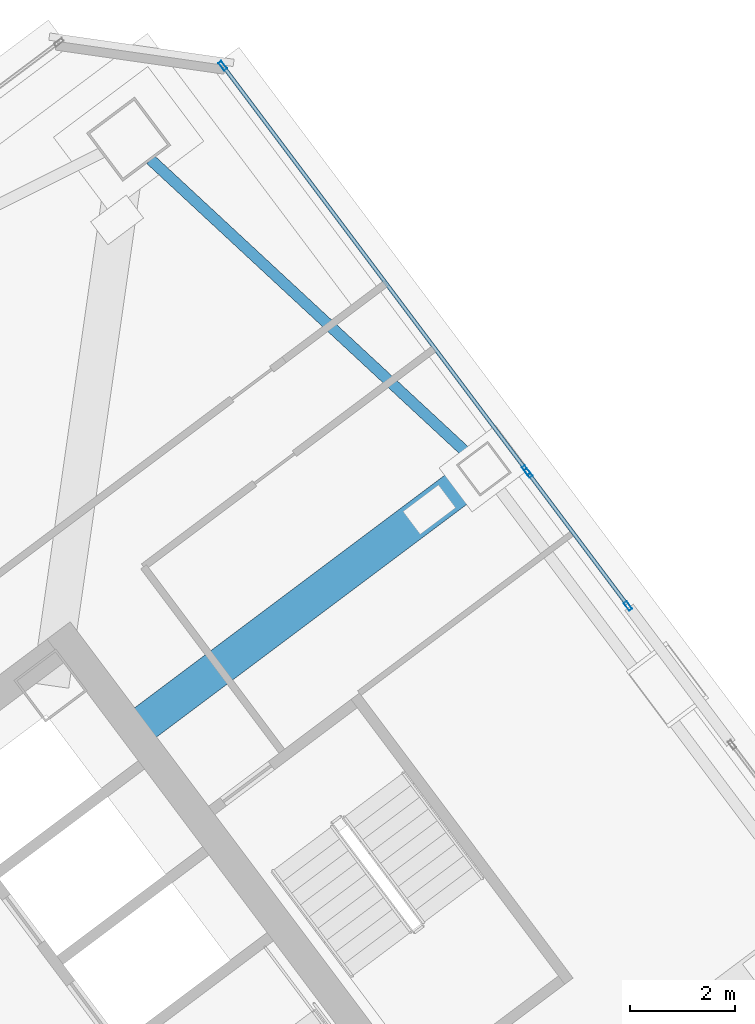
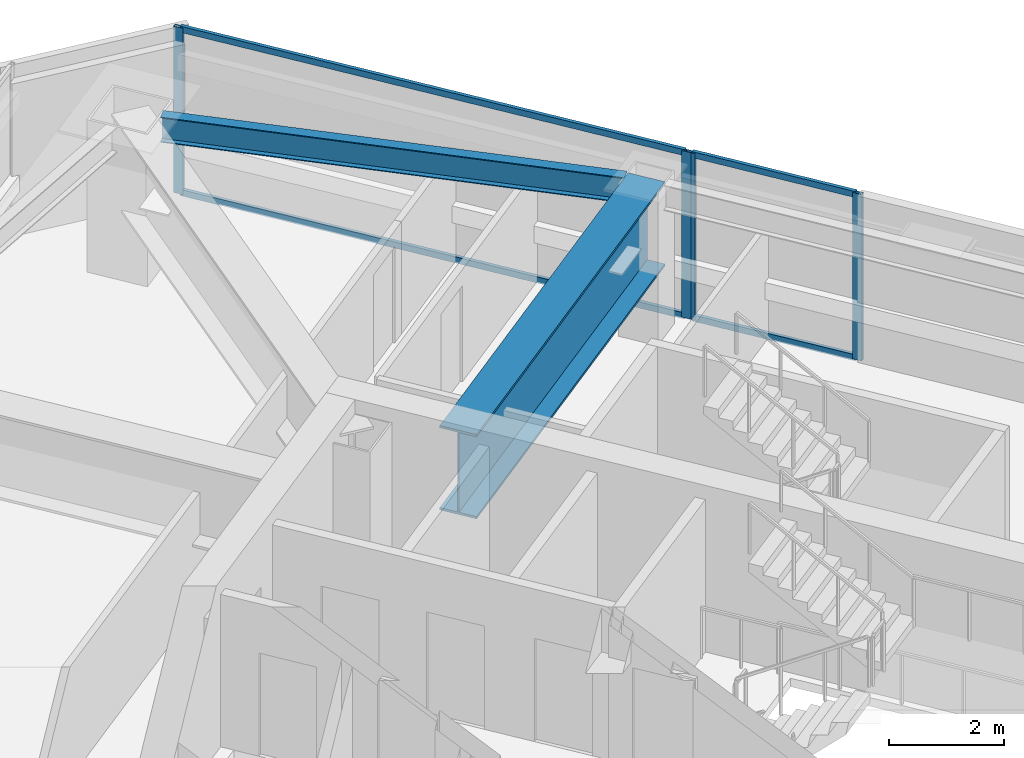
# One storey, part 29 of 42: 8 members, 2 beams, 2 elements without a shape of their own.
"""IFC4 building model written with IfcOpenShell, lengths in metres."""

from ifc_helpers import new_model, si_unit, direction, frame, origin, origin_2d, place, context, subcontext, project, spatial, hollow_rectangle, i_section, extrude, material, material_profile, profile_set, type_object, element, aggregate, save


model = new_model("IFC4")

# Units and contexts
model_context = context("Model", 3, precision=1e-05, world=origin(), true_north=direction((0.0, 1.0)))
body_context = subcontext(model_context, "Body", "Model", "MODEL_VIEW")
ifc_project = project(units=[si_unit("LENGTHUNIT", "METRE"), si_unit("AREAUNIT", "SQUARE_METRE"), si_unit("VOLUMEUNIT", "CUBIC_METRE"), si_unit("PLANEANGLEUNIT", "RADIAN"), si_unit("MASSUNIT", "GRAM", prefix="KILO")], contexts=[model_context])

# Site, building, storey
site_placement = place(None, origin())
site = spatial("IfcSite", under=ifc_project, at=site_placement, CompositionType="ELEMENT")
building_placement = place(site_placement, origin())
building = spatial("IfcBuilding", under=site, at=building_placement, Name="Tashvorn Skyway Center", CompositionType="ELEMENT")
storey_placement = place(building_placement, frame((0.0, 0.0, 196.050048828125)))
storey = spatial("IfcBuildingStorey", under=building, at=storey_placement, Name="L53", CompositionType="ELEMENT", Elevation=196.050048828125)

# Beams
ifc_material_1 = material(Name="Steel ASTM A572 Grade 50", Category="steel")
ifc_material_profile_1 = material_profile(ifc_material_1, i_section(OverallWidth=0.699951171875, OverallDepth=1.800048828125, WebThickness=0.031982421875, FlangeThickness=0.050048828125, at=origin_2d()), Name="PG1800x700")
ifc_profile_set_1 = profile_set([ifc_material_profile_1], Name="Steel ASTM A572 Grade 50")
beam_type_1 = type_object("IfcBeamType", Name="BM-BEAM-PG1800x700", PredefinedType="BEAM", material=ifc_profile_set_1)
beam_1_placement = place(storey_placement, frame((123.679931640625, 46.010009765625, 2.349853515625), z_axis=(-0.800003500202, -0.599995333035, 0.0), x_axis=(0.599995333035, -0.800003500202, 0.0)))
element("IfcBeam", 1, at=beam_1_placement, inside=storey, type_object=beam_type_1, Name="Tower 2 L53 Setback Transfer Girder FC-E2", PredefinedType="BEAM", context=body_context, shape_type="SweptSolid", body=[
    extrude(i_section(OverallWidth=0.699951171875, OverallDepth=1.800048828125, WebThickness=0.031982421875, FlangeThickness=0.050048828125, at=origin_2d()), origin(), (0.0, 0.0, 1.0), 8.3701171875),
])
ifc_material_2 = material(Name="Steel ASTM A992 Grade 50", Category="steel")
ifc_material_profile_2 = material_profile(ifc_material_2, i_section(OverallWidth=0.2109375, OverallDepth=0.5390625, WebThickness=0.01171875, FlangeThickness=0.018798828125, at=origin_2d()), Name="W21X73")
ifc_profile_set_2 = profile_set([ifc_material_profile_2], Name="Steel ASTM A992 Grade 50")
beam_type_2 = type_object("IfcBeamType", Name="BM-SPANDREL-W21X73", PredefinedType="SPANDREL", material=ifc_profile_set_2)
beam_2_placement = place(storey_placement, frame((123.40869140625, 46.26171875, 2.98046875), z_axis=(-0.733101115618, 0.680119661736, 0.0), x_axis=(-0.680119661736, -0.733101115618, 0.0)))
element("IfcBeam", 2, at=beam_2_placement, inside=storey, type_object=beam_type_2, Name="Tower 2 L53 Spandrel Beam 06", PredefinedType="SPANDREL", context=body_context, shape_type="SweptSolid", body=[
    extrude(i_section(OverallWidth=0.2109375, OverallDepth=0.5390625, WebThickness=0.01171875, FlangeThickness=0.018798828125, at=origin_2d()), origin(), (0.0, 0.0, 1.0), 8.308349609375),
])

# Curtain wall, members
ifc_material_3 = material(Name="Thermally broken bronze-anodized aluminium 6063-T6", Category="aluminium")
curtain_wall_type = type_object("IfcCurtainWallType", Name="CW-CW-Z4", PredefinedType="NOTDEFINED", material=ifc_material_3)
curtain_wall_1_placement = place(storey_placement, origin())
curtain_wall_1 = element("IfcCurtainWall", 3, at=curtain_wall_1_placement, inside=storey, type_object=curtain_wall_type, Name="Tower 2 L53 East Unitised Curtain Wall Glazing Group 1", PredefinedType="NOTDEFINED")
ifc_material_profile_3 = material_profile(ifc_material_3, hollow_rectangle(XDim=0.070068359375, YDim=0.179931640625, WallThickness=0.00390625, at=origin_2d()), Name="ALU-MULL-70x180")
ifc_profile_set_3 = profile_set([ifc_material_profile_3], Name="Thermally broken bronze-anodized aluminium 6063-T6")
member_type_1 = type_object("IfcMemberType", Name="CWM-CW-Z4", PredefinedType="MULLION", material=ifc_profile_set_3)
member_1_placement = place(storey_placement, frame((118.697021484375, 53.7041015625, 0.0), z_axis=(0.0, 0.0, 1.0), x_axis=(0.799999999998, 0.600000000002, 0.0)))
member_1 = element("IfcMember", 4, at=member_1_placement, type_object=member_type_1, Name="CW-Z4 mullion 1", PredefinedType="MULLION", context=body_context, shape_type="SweptSolid", body=[
    extrude(hollow_rectangle(XDim=0.070068359375, YDim=0.179931640625, WallThickness=0.00390625, at=origin_2d()), origin(), (0.0, 0.0, 1.0), 3.550048828125),
])
member_2_placement = place(storey_placement, frame((124.487060546875, 45.98388671875, 0.0), z_axis=(0.0, 0.0, 1.0), x_axis=(0.799999999998, 0.600000000002, 0.0)))
member_2 = element("IfcMember", 5, at=member_2_placement, type_object=member_type_1, Name="CW-Z4 mullion 2", PredefinedType="MULLION", context=body_context, shape_type="SweptSolid", body=[
    extrude(hollow_rectangle(XDim=0.070068359375, YDim=0.179931640625, WallThickness=0.00390625, at=origin_2d()), origin(), (0.0, 0.0, 1.0), 3.550048828125),
])

curtain_wall_2_placement = place(storey_placement, origin())
curtain_wall_2 = element("IfcCurtainWall", 6, at=curtain_wall_2_placement, inside=storey, type_object=curtain_wall_type, Name="Tower 2 L53 East Unitised Curtain Wall Glazing Group 2", PredefinedType="NOTDEFINED")
member_3_placement = place(storey_placement, frame((124.529052734375, 45.927978515625, 0.0), z_axis=(0.0, 0.0, 1.0), x_axis=(0.799999999998, 0.600000000002, 0.0)))
member_3 = element("IfcMember", 7, at=member_3_placement, type_object=member_type_1, Name="CW-Z4 mullion 1", PredefinedType="MULLION", context=body_context, shape_type="SweptSolid", body=[
    extrude(hollow_rectangle(XDim=0.070068359375, YDim=0.179931640625, WallThickness=0.00390625, at=origin_2d()), origin(), (0.0, 0.0, 1.0), 3.550048828125),
])
member_4_placement = place(storey_placement, frame((126.430908203125, 43.39208984375, 0.0), z_axis=(0.0, 0.0, 1.0), x_axis=(0.799999999998, 0.600000000002, 0.0)))
member_4 = element("IfcMember", 8, at=member_4_placement, type_object=member_type_1, Name="CW-Z4 mullion 2", PredefinedType="MULLION", context=body_context, shape_type="SweptSolid", body=[
    extrude(hollow_rectangle(XDim=0.070068359375, YDim=0.179931640625, WallThickness=0.00390625, at=origin_2d()), origin(), (0.0, 0.0, 1.0), 3.550048828125),
])

# Member
ifc_material_profile_4 = material_profile(ifc_material_3, hollow_rectangle(XDim=0.070068359375, YDim=0.1298828125, WallThickness=0.00390625, at=origin_2d()), Name="ALU-TRAN-70x130")
ifc_profile_set_4 = profile_set([ifc_material_profile_4], Name="Thermally broken bronze-anodized aluminium 6063-T6")
member_type_2 = type_object("IfcMemberType", Name="CWT-CW-Z4", PredefinedType="USERDEFINED", material=ifc_profile_set_4)
member_5_placement = place(storey_placement, frame((118.718017578125, 53.676025390625, 0.034912109375), z_axis=(0.6, -0.8, 0.0), x_axis=(0.8, 0.6, 0.0)))
member_5 = element("IfcMember", 9, at=member_5_placement, type_object=member_type_2, Name="CW-Z4 transom 1.1", ObjectType="TRANSOM", PredefinedType="USERDEFINED", context=body_context, shape_type="SweptSolid", body=[
    extrude(hollow_rectangle(XDim=0.070068359375, YDim=0.1298828125, WallThickness=0.00390625, at=origin_2d()), origin(), (0.0, 0.0, 1.0), 9.580078125),
])

member_6_placement = place(storey_placement, frame((118.718017578125, 53.676025390625, 3.514892578125), z_axis=(0.6, -0.8, 0.0), x_axis=(0.8, 0.6, 0.0)))
member_6 = element("IfcMember", 10, at=member_6_placement, type_object=member_type_2, Name="CW-Z4 transom 1.2", ObjectType="TRANSOM", PredefinedType="USERDEFINED", context=body_context, shape_type="SweptSolid", body=[
    extrude(hollow_rectangle(XDim=0.070068359375, YDim=0.1298828125, WallThickness=0.00390625, at=origin_2d()), origin(), (0.0, 0.0, 1.0), 9.580078125),
])

aggregate(curtain_wall_1, [member_1, member_2, member_5, member_6])

member_7_placement = place(storey_placement, frame((124.550048828125, 45.89990234375, 0.034912109375), z_axis=(0.599974797295, -0.800018901408, 0.0), x_axis=(0.800018901408, 0.599974797295, 0.0)))
member_7 = element("IfcMember", 11, at=member_7_placement, type_object=member_type_2, Name="CW-Z4 transom 1.1", ObjectType="TRANSOM", PredefinedType="USERDEFINED", context=body_context, shape_type="SweptSolid", body=[
    extrude(hollow_rectangle(XDim=0.070068359375, YDim=0.1298828125, WallThickness=0.00390625, at=origin_2d()), origin(), (0.0, 0.0, 1.0), 3.099853515625),
])

member_8_placement = place(storey_placement, frame((124.550048828125, 45.89990234375, 3.514892578125), z_axis=(0.599974797295, -0.800018901408, 0.0), x_axis=(0.800018901408, 0.599974797295, 0.0)))
member_8 = element("IfcMember", 12, at=member_8_placement, type_object=member_type_2, Name="CW-Z4 transom 1.2", ObjectType="TRANSOM", PredefinedType="USERDEFINED", context=body_context, shape_type="SweptSolid", body=[
    extrude(hollow_rectangle(XDim=0.070068359375, YDim=0.1298828125, WallThickness=0.00390625, at=origin_2d()), origin(), (0.0, 0.0, 1.0), 3.099853515625),
])

aggregate(curtain_wall_2, [member_3, member_4, member_7, member_8])

save(model, "model.ifc")
